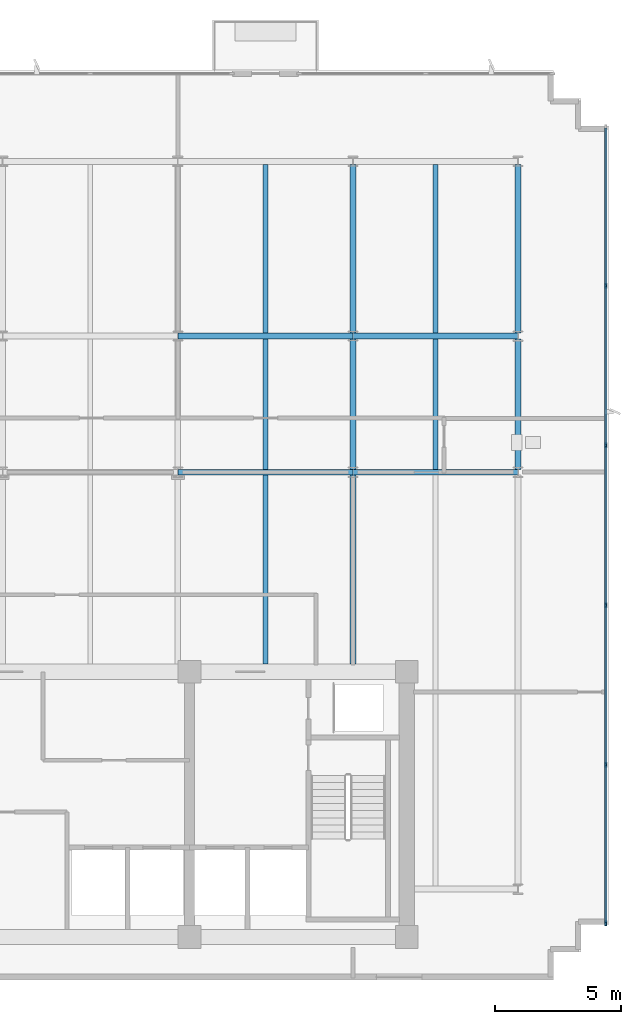
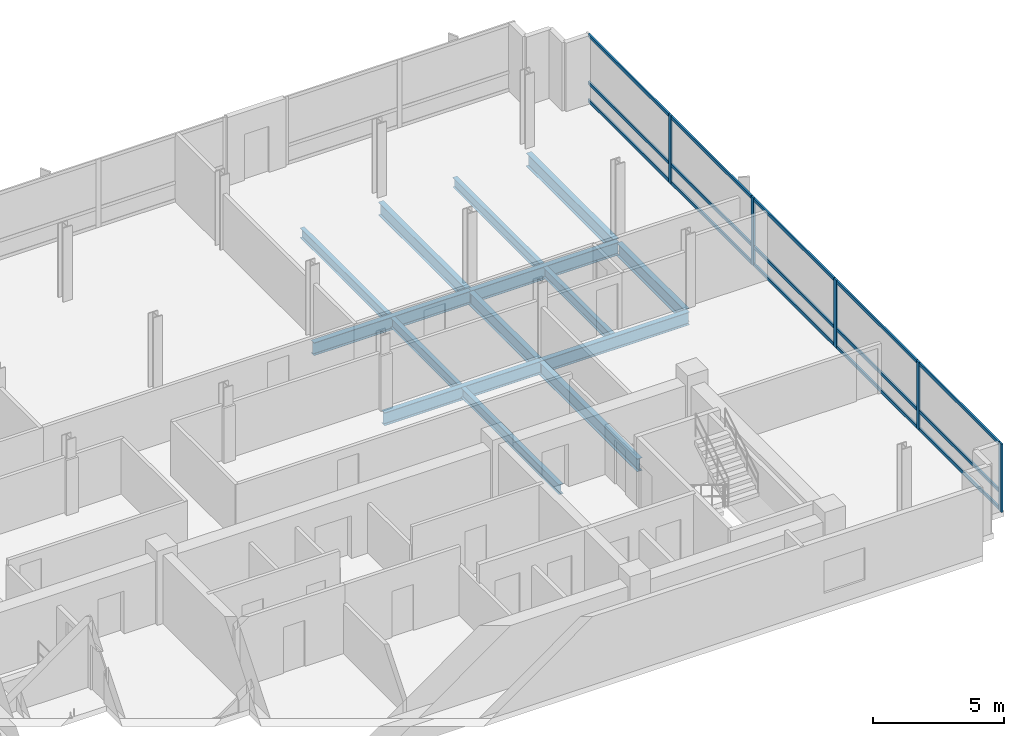
# One storey, part 4 of 13: 20 members, 14 beams, 1 element without a shape of its own.
"""IFC4 building model written with IfcOpenShell, lengths in metres."""

from ifc_helpers import new_model, si_unit, direction, frame, origin, origin_2d, place, context, subcontext, project, spatial, rectangle, i_section, extrude, material, material_profile, profile_set, type_object, element, aggregate, save


model = new_model("IFC4")

# Units and contexts
model_context = context("Model", 3, precision=1e-05, world=origin(), true_north=direction((0.0, 1.0)))
body_context = subcontext(model_context, "Body", "Model", "MODEL_VIEW")
ifc_project = project(units=[si_unit("LENGTHUNIT", "METRE"), si_unit("AREAUNIT", "SQUARE_METRE"), si_unit("VOLUMEUNIT", "CUBIC_METRE"), si_unit("PLANEANGLEUNIT", "RADIAN"), si_unit("MASSUNIT", "GRAM", prefix="KILO")], contexts=[model_context])

# Site, building, storey
site_placement = place(None, origin())
site = spatial("IfcSite", under=ifc_project, at=site_placement, CompositionType="ELEMENT")
building_placement = place(site_placement, origin())
building = spatial("IfcBuilding", under=site, at=building_placement, Name="Solmavex Isthmus Hotel", CompositionType="ELEMENT")
storey_placement = place(building_placement, frame((0.0, 0.0, 276.449951171875)))
storey = spatial("IfcBuildingStorey", under=building, at=storey_placement, Name="L75", CompositionType="ELEMENT", Elevation=276.449951171875)

# Beams
ifc_material_1 = material(Name="Steel ASTM A992 Grade 50", Category="steel")
ifc_material_profile_1 = material_profile(ifc_material_1, i_section(OverallWidth=0.1904296875, OverallDepth=0.456787109375, WebThickness=0.009033203125, FlangeThickness=0.014404296875, FilletRadius=0.0126953125, at=origin_2d()), Name="W18X50")
ifc_profile_set_1 = profile_set([ifc_material_profile_1], Name="Steel ASTM A992 Grade 50")
beam_type_1 = type_object("IfcBeamType", Name="BM-BJ-W18X50", PredefinedType="JOIST", material=ifc_profile_set_1)
beam_1_placement = place(storey_placement, frame((10.404052734375, -2.199951171875, -0.48828125), z_axis=(0.0, 1.0, 0.0), x_axis=(-1.0, 0.0, 0.0)))
element("IfcBeam", 1, at=beam_1_placement, inside=storey, type_object=beam_type_1, Name="Secondary Floor Joist L75-J13", PredefinedType="JOIST", context=body_context, shape_type="SweptSolid", body=[
    extrude(i_section(OverallWidth=0.1904296875, OverallDepth=0.456787109375, WebThickness=0.009033203125, FlangeThickness=0.014404296875, FilletRadius=0.0126953125, at=origin_2d()), origin(), (0.0, 0.0, 1.0), 7.486083984375),
])
beam_2_placement = place(storey_placement, frame((10.404052734375, 5.513916015625, -0.48828125), z_axis=(0.0, 1.0, 0.0), x_axis=(-1.0, 0.0, 0.0)))
element("IfcBeam", 2, at=beam_2_placement, inside=storey, type_object=beam_type_1, Name="Secondary Floor Joist L75-J14", PredefinedType="JOIST", context=body_context, shape_type="SweptSolid", body=[
    extrude(i_section(OverallWidth=0.1904296875, OverallDepth=0.456787109375, WebThickness=0.009033203125, FlangeThickness=0.014404296875, FilletRadius=0.0126953125, at=origin_2d()), origin(), (0.0, 0.0, 1.0), 5.16015625),
])
beam_3_placement = place(storey_placement, frame((10.404052734375, 10.90185546875, -0.48828125), z_axis=(0.0, 1.0, 0.0), x_axis=(-1.0, 0.0, 0.0)))
element("IfcBeam", 3, at=beam_3_placement, inside=storey, type_object=beam_type_1, Name="Secondary Floor Joist L75-J15", PredefinedType="JOIST", context=body_context, shape_type="SweptSolid", body=[
    extrude(i_section(OverallWidth=0.1904296875, OverallDepth=0.456787109375, WebThickness=0.009033203125, FlangeThickness=0.014404296875, FilletRadius=0.0126953125, at=origin_2d()), origin(), (0.0, 0.0, 1.0), 6.682861328125),
])
beam_4_placement = place(storey_placement, frame((17.135986328125, 5.513916015625, -0.48828125), z_axis=(0.0, 1.0, 0.0), x_axis=(-1.0, 0.0, 0.0)))
element("IfcBeam", 4, at=beam_4_placement, inside=storey, type_object=beam_type_1, Name="Secondary Floor Joist L75-J17", PredefinedType="JOIST", context=body_context, shape_type="SweptSolid", body=[
    extrude(i_section(OverallWidth=0.1904296875, OverallDepth=0.456787109375, WebThickness=0.009033203125, FlangeThickness=0.014404296875, FilletRadius=0.0126953125, at=origin_2d()), origin(), (0.0, 0.0, 1.0), 5.16015625),
])
beam_5_placement = place(storey_placement, frame((17.135986328125, 10.90185546875, -0.48828125), z_axis=(0.0, 1.0, 0.0), x_axis=(-1.0, 0.0, 0.0)))
element("IfcBeam", 5, at=beam_5_placement, inside=storey, type_object=beam_type_1, Name="Secondary Floor Joist L75-J18", PredefinedType="JOIST", context=body_context, shape_type="SweptSolid", body=[
    extrude(i_section(OverallWidth=0.1904296875, OverallDepth=0.456787109375, WebThickness=0.009033203125, FlangeThickness=0.014404296875, FilletRadius=0.0126953125, at=origin_2d()), origin(), (0.0, 0.0, 1.0), 6.682861328125),
])
ifc_material_profile_2 = material_profile(ifc_material_1, i_section(OverallWidth=0.227783203125, OverallDepth=0.602783203125, WebThickness=0.010498046875, FlangeThickness=0.014892578125, FilletRadius=0.01513671875, at=origin_2d()), Name="W24X68")
ifc_profile_set_2 = profile_set([ifc_material_profile_2], Name="Steel ASTM A992 Grade 50")
beam_type_2 = type_object("IfcBeamType", Name="BM-BM-W24X68", PredefinedType="BEAM", material=ifc_profile_set_2)
beam_6_placement = place(storey_placement, frame((6.93603515625, 5.39990234375, -0.561279296875), z_axis=(1.0, 0.0, 0.0), x_axis=(0.0, 1.0, 0.0)))
element("IfcBeam", 6, at=beam_6_placement, inside=storey, type_object=beam_type_2, Name="Floor Girder L75-UG07", PredefinedType="BEAM", context=body_context, shape_type="SweptSolid", body=[
    extrude(i_section(OverallWidth=0.227783203125, OverallDepth=0.602783203125, WebThickness=0.010498046875, FlangeThickness=0.014892578125, FilletRadius=0.01513671875, at=origin_2d()), origin(), (0.0, 0.0, 1.0), 6.93603515625),
])
beam_7_placement = place(storey_placement, frame((13.8720703125, 5.39990234375, -0.561279296875), z_axis=(1.0, 0.0, 0.0), x_axis=(0.0, 1.0, 0.0)))
element("IfcBeam", 7, at=beam_7_placement, inside=storey, type_object=beam_type_2, Name="Floor Girder L75-UG08", PredefinedType="BEAM", context=body_context, shape_type="SweptSolid", body=[
    extrude(i_section(OverallWidth=0.227783203125, OverallDepth=0.602783203125, WebThickness=0.010498046875, FlangeThickness=0.014892578125, FilletRadius=0.01513671875, at=origin_2d()), origin(), (0.0, 0.0, 1.0), 6.52783203125),
])
beam_8_placement = place(storey_placement, frame((6.93603515625, 10.7880859375, -0.561279296875), z_axis=(1.0, 0.0, 0.0), x_axis=(0.0, 1.0, 0.0)))
element("IfcBeam", 8, at=beam_8_placement, inside=storey, type_object=beam_type_2, Name="Floor Girder L75-UG13", PredefinedType="BEAM", context=body_context, shape_type="SweptSolid", body=[
    extrude(i_section(OverallWidth=0.227783203125, OverallDepth=0.602783203125, WebThickness=0.010498046875, FlangeThickness=0.014892578125, FilletRadius=0.01513671875, at=origin_2d()), origin(), (0.0, 0.0, 1.0), 6.93603515625),
])
beam_9_placement = place(storey_placement, frame((13.8720703125, 10.7880859375, -0.561279296875), z_axis=(1.0, 0.0, 0.0), x_axis=(0.0, 1.0, 0.0)))
element("IfcBeam", 9, at=beam_9_placement, inside=storey, type_object=beam_type_2, Name="Floor Girder L75-UG14", PredefinedType="BEAM", context=body_context, shape_type="SweptSolid", body=[
    extrude(i_section(OverallWidth=0.227783203125, OverallDepth=0.602783203125, WebThickness=0.010498046875, FlangeThickness=0.014892578125, FilletRadius=0.01513671875, at=origin_2d()), origin(), (0.0, 0.0, 1.0), 6.52783203125),
])
beam_10_placement = place(storey_placement, frame((13.8720703125, -2.199951171875, -0.561279296875), z_axis=(0.0, 1.0, 0.0), x_axis=(-1.0, 0.0, 0.0)))
element("IfcBeam", 10, at=beam_10_placement, inside=storey, type_object=beam_type_2, Name="Floor Beam L75-VG36", PredefinedType="BEAM", context=body_context, shape_type="SweptSolid", body=[
    extrude(i_section(OverallWidth=0.227783203125, OverallDepth=0.602783203125, WebThickness=0.010498046875, FlangeThickness=0.014892578125, FilletRadius=0.01513671875, at=origin_2d()), origin(), (0.0, 0.0, 1.0), 7.486083984375),
])
beam_11_placement = place(storey_placement, frame((13.8720703125, 5.513916015625, -0.561279296875), z_axis=(0.0, 1.0, 0.0), x_axis=(-1.0, 0.0, 0.0)))
element("IfcBeam", 11, at=beam_11_placement, inside=storey, type_object=beam_type_2, Name="Floor Beam L75-VG37", PredefinedType="BEAM", context=body_context, shape_type="SweptSolid", body=[
    extrude(i_section(OverallWidth=0.227783203125, OverallDepth=0.602783203125, WebThickness=0.010498046875, FlangeThickness=0.014892578125, FilletRadius=0.01513671875, at=origin_2d()), origin(), (0.0, 0.0, 1.0), 5.16015625),
])
beam_12_placement = place(storey_placement, frame((13.8720703125, 10.90185546875, -0.561279296875), z_axis=(0.0, 1.0, 0.0), x_axis=(-1.0, 0.0, 0.0)))
element("IfcBeam", 12, at=beam_12_placement, inside=storey, type_object=beam_type_2, Name="Floor Beam L75-VG38", PredefinedType="BEAM", context=body_context, shape_type="SweptSolid", body=[
    extrude(i_section(OverallWidth=0.227783203125, OverallDepth=0.602783203125, WebThickness=0.010498046875, FlangeThickness=0.014892578125, FilletRadius=0.01513671875, at=origin_2d()), origin(), (0.0, 0.0, 1.0), 6.682861328125),
])
ifc_material_profile_3 = material_profile(ifc_material_1, i_section(OverallWidth=0.230224609375, OverallDepth=0.617431640625, WebThickness=0.01318359375, FlangeThickness=0.022216796875, FilletRadius=0.01513671875, at=origin_2d()), Name="W24X94")
ifc_profile_set_3 = profile_set([ifc_material_profile_3], Name="Steel ASTM A992 Grade 50")
beam_type_3 = type_object("IfcBeamType", Name="BM-SP-W24X94", PredefinedType="SPANDREL", material=ifc_profile_set_3)
beam_13_placement = place(storey_placement, frame((20.39990234375, 5.513916015625, -0.568603515625), z_axis=(0.0, 1.0, 0.0), x_axis=(-1.0, 0.0, 0.0)))
element("IfcBeam", 13, at=beam_13_placement, inside=storey, type_object=beam_type_3, Name="Floor Beam L75-VG40", PredefinedType="SPANDREL", context=body_context, shape_type="SweptSolid", body=[
    extrude(i_section(OverallWidth=0.230224609375, OverallDepth=0.617431640625, WebThickness=0.01318359375, FlangeThickness=0.022216796875, FilletRadius=0.01513671875, at=origin_2d()), origin(), (0.0, 0.0, 1.0), 5.16015625),
])
beam_14_placement = place(storey_placement, frame((20.39990234375, 10.90185546875, -0.568603515625), z_axis=(0.0, 1.0, 0.0), x_axis=(-1.0, 0.0, 0.0)))
element("IfcBeam", 14, at=beam_14_placement, inside=storey, type_object=beam_type_3, Name="Floor Beam L75-VG41", PredefinedType="SPANDREL", context=body_context, shape_type="SweptSolid", body=[
    extrude(i_section(OverallWidth=0.230224609375, OverallDepth=0.617431640625, WebThickness=0.01318359375, FlangeThickness=0.022216796875, FilletRadius=0.01513671875, at=origin_2d()), origin(), (0.0, 0.0, 1.0), 6.682861328125),
])

# Curtain wall, members
ifc_material_2 = material(Name="Aluminium alloy 6063-T6", Category="aluminium")
curtain_wall_type = type_object("IfcCurtainWallType", Name="CW-SYS-04", PredefinedType="NOTDEFINED", material=ifc_material_2)
curtain_wall_placement = place(storey_placement, origin())
curtain_wall = element("IfcCurtainWall", 15, at=curtain_wall_placement, inside=storey, type_object=curtain_wall_type, Name="Stick Curtain Wall CWL-L75-E1", PredefinedType="NOTDEFINED")
ifc_material_profile_4 = material_profile(ifc_material_2, rectangle(XDim=0.074951171875, YDim=0.199951171875, at=origin_2d()), Name="CWM-75X200")
ifc_profile_set_4 = profile_set([ifc_material_profile_4], Name="Aluminium alloy 6063-T6")
member_type_1 = type_object("IfcMemberType", Name="CW-SYS-04-MUL", PredefinedType="MULLION", material=ifc_profile_set_4)
member_1_placement = place(storey_placement, frame((23.8798828125, -12.46240234375, 0.0), z_axis=(0.0, 0.0, 1.0), x_axis=(-1.0, 0.0, 0.0)))
member_1 = element("IfcMember", 16, at=member_1_placement, type_object=member_type_1, Name="CW-04 mullion 1", PredefinedType="MULLION", context=body_context, shape_type="SweptSolid", body=[
    extrude(rectangle(XDim=0.074951171875, YDim=0.199951171875, at=origin_2d()), origin(), (0.0, 0.0, 1.0), 3.18994140625),
])
member_2_placement = place(storey_placement, frame((23.8798828125, -6.179931640625, 0.0), z_axis=(0.0, 0.0, 1.0), x_axis=(-1.0, 0.0, 0.0)))
member_2 = element("IfcMember", 17, at=member_2_placement, type_object=member_type_1, Name="CW-04 mullion 2", PredefinedType="MULLION", context=body_context, shape_type="SweptSolid", body=[
    extrude(rectangle(XDim=0.074951171875, YDim=0.199951171875, at=origin_2d()), origin(), (0.0, 0.0, 1.0), 3.18994140625),
])
member_3_placement = place(storey_placement, frame((23.8798828125, 0.139892578125, 0.0), z_axis=(0.0, 0.0, 1.0), x_axis=(-1.0, 0.0, 0.0)))
member_3 = element("IfcMember", 18, at=member_3_placement, type_object=member_type_1, Name="CW-04 mullion 3", PredefinedType="MULLION", context=body_context, shape_type="SweptSolid", body=[
    extrude(rectangle(XDim=0.074951171875, YDim=0.199951171875, at=origin_2d()), origin(), (0.0, 0.0, 1.0), 3.18994140625),
])
member_4_placement = place(storey_placement, frame((23.8798828125, 6.4599609375, 0.0), z_axis=(0.0, 0.0, 1.0), x_axis=(-1.0, 0.0, 0.0)))
member_4 = element("IfcMember", 19, at=member_4_placement, type_object=member_type_1, Name="CW-04 mullion 4", PredefinedType="MULLION", context=body_context, shape_type="SweptSolid", body=[
    extrude(rectangle(XDim=0.074951171875, YDim=0.199951171875, at=origin_2d()), origin(), (0.0, 0.0, 1.0), 3.18994140625),
])
member_5_placement = place(storey_placement, frame((23.8798828125, 12.780029296875, 0.0), z_axis=(0.0, 0.0, 1.0), x_axis=(-1.0, 0.0, 0.0)))
member_5 = element("IfcMember", 20, at=member_5_placement, type_object=member_type_1, Name="CW-04 mullion 5", PredefinedType="MULLION", context=body_context, shape_type="SweptSolid", body=[
    extrude(rectangle(XDim=0.074951171875, YDim=0.199951171875, at=origin_2d()), origin(), (0.0, 0.0, 1.0), 3.18994140625),
])
ifc_material_profile_5 = material_profile(ifc_material_2, rectangle(XDim=0.074951171875, YDim=0.14990234375, at=origin_2d()), Name="CWT-75X150")
ifc_profile_set_5 = profile_set([ifc_material_profile_5], Name="Aluminium alloy 6063-T6")
member_type_2 = type_object("IfcMemberType", Name="CW-SYS-04-TRN", PredefinedType="USERDEFINED", material=ifc_profile_set_5)
member_6_placement = place(storey_placement, frame((23.8798828125, -12.425048828125, 0.074951171875), z_axis=(0.0, 1.0, 0.0), x_axis=(-1.0, 0.0, 0.0)))
member_6 = element("IfcMember", 21, at=member_6_placement, type_object=member_type_2, Name="CW-04 transom 1.1", ObjectType="TRANSOM", PredefinedType="USERDEFINED", context=body_context, shape_type="SweptSolid", body=[
    extrude(rectangle(XDim=0.074951171875, YDim=0.14990234375, at=origin_2d()), origin(), (0.0, 0.0, 1.0), 6.20751953125),
])
member_7_placement = place(storey_placement, frame((23.8798828125, -12.425048828125, 0.900146484375), z_axis=(0.0, 1.0, 0.0), x_axis=(-1.0, 0.0, 0.0)))
member_7 = element("IfcMember", 22, at=member_7_placement, type_object=member_type_2, Name="CW-04 transom 1.2", ObjectType="TRANSOM", PredefinedType="USERDEFINED", context=body_context, shape_type="SweptSolid", body=[
    extrude(rectangle(XDim=0.074951171875, YDim=0.14990234375, at=origin_2d()), origin(), (0.0, 0.0, 1.0), 6.20751953125),
])
member_8_placement = place(storey_placement, frame((23.8798828125, -12.425048828125, 3.114990234375), z_axis=(0.0, 1.0, 0.0), x_axis=(-1.0, 0.0, 0.0)))
member_8 = element("IfcMember", 23, at=member_8_placement, type_object=member_type_2, Name="CW-04 transom 1.3", ObjectType="TRANSOM", PredefinedType="USERDEFINED", context=body_context, shape_type="SweptSolid", body=[
    extrude(rectangle(XDim=0.074951171875, YDim=0.14990234375, at=origin_2d()), origin(), (0.0, 0.0, 1.0), 6.20751953125),
])
member_9_placement = place(storey_placement, frame((23.8798828125, -6.142578125, 0.074951171875), z_axis=(0.0, 1.0, 0.0), x_axis=(-1.0, 0.0, 0.0)))
member_9 = element("IfcMember", 24, at=member_9_placement, type_object=member_type_2, Name="CW-04 transom 2.1", ObjectType="TRANSOM", PredefinedType="USERDEFINED", context=body_context, shape_type="SweptSolid", body=[
    extrude(rectangle(XDim=0.074951171875, YDim=0.14990234375, at=origin_2d()), origin(), (0.0, 0.0, 1.0), 6.2451171875),
])
member_10_placement = place(storey_placement, frame((23.8798828125, -6.142578125, 0.900146484375), z_axis=(0.0, 1.0, 0.0), x_axis=(-1.0, 0.0, 0.0)))
member_10 = element("IfcMember", 25, at=member_10_placement, type_object=member_type_2, Name="CW-04 transom 2.2", ObjectType="TRANSOM", PredefinedType="USERDEFINED", context=body_context, shape_type="SweptSolid", body=[
    extrude(rectangle(XDim=0.074951171875, YDim=0.14990234375, at=origin_2d()), origin(), (0.0, 0.0, 1.0), 6.2451171875),
])
member_11_placement = place(storey_placement, frame((23.8798828125, -6.142578125, 3.114990234375), z_axis=(0.0, 1.0, 0.0), x_axis=(-1.0, 0.0, 0.0)))
member_11 = element("IfcMember", 26, at=member_11_placement, type_object=member_type_2, Name="CW-04 transom 2.3", ObjectType="TRANSOM", PredefinedType="USERDEFINED", context=body_context, shape_type="SweptSolid", body=[
    extrude(rectangle(XDim=0.074951171875, YDim=0.14990234375, at=origin_2d()), origin(), (0.0, 0.0, 1.0), 6.2451171875),
])
member_12_placement = place(storey_placement, frame((23.8798828125, 0.177490234375, 0.074951171875), z_axis=(0.0, 1.0, 0.0), x_axis=(-1.0, 0.0, 0.0)))
member_12 = element("IfcMember", 27, at=member_12_placement, type_object=member_type_2, Name="CW-04 transom 3.1", ObjectType="TRANSOM", PredefinedType="USERDEFINED", context=body_context, shape_type="SweptSolid", body=[
    extrude(rectangle(XDim=0.074951171875, YDim=0.14990234375, at=origin_2d()), origin(), (0.0, 0.0, 1.0), 6.2451171875),
])
member_13_placement = place(storey_placement, frame((23.8798828125, 0.177490234375, 0.900146484375), z_axis=(0.0, 1.0, 0.0), x_axis=(-1.0, 0.0, 0.0)))
member_13 = element("IfcMember", 28, at=member_13_placement, type_object=member_type_2, Name="CW-04 transom 3.2", ObjectType="TRANSOM", PredefinedType="USERDEFINED", context=body_context, shape_type="SweptSolid", body=[
    extrude(rectangle(XDim=0.074951171875, YDim=0.14990234375, at=origin_2d()), origin(), (0.0, 0.0, 1.0), 6.2451171875),
])
member_14_placement = place(storey_placement, frame((23.8798828125, 0.177490234375, 3.114990234375), z_axis=(0.0, 1.0, 0.0), x_axis=(-1.0, 0.0, 0.0)))
member_14 = element("IfcMember", 29, at=member_14_placement, type_object=member_type_2, Name="CW-04 transom 3.3", ObjectType="TRANSOM", PredefinedType="USERDEFINED", context=body_context, shape_type="SweptSolid", body=[
    extrude(rectangle(XDim=0.074951171875, YDim=0.14990234375, at=origin_2d()), origin(), (0.0, 0.0, 1.0), 6.2451171875),
])
member_15_placement = place(storey_placement, frame((23.8798828125, 6.49755859375, 0.074951171875), z_axis=(0.0, 1.0, 0.0), x_axis=(-1.0, 0.0, 0.0)))
member_15 = element("IfcMember", 30, at=member_15_placement, type_object=member_type_2, Name="CW-04 transom 4.1", ObjectType="TRANSOM", PredefinedType="USERDEFINED", context=body_context, shape_type="SweptSolid", body=[
    extrude(rectangle(XDim=0.074951171875, YDim=0.14990234375, at=origin_2d()), origin(), (0.0, 0.0, 1.0), 6.244873046875),
])
member_16_placement = place(storey_placement, frame((23.8798828125, 6.49755859375, 0.900146484375), z_axis=(0.0, 1.0, 0.0), x_axis=(-1.0, 0.0, 0.0)))
member_16 = element("IfcMember", 31, at=member_16_placement, type_object=member_type_2, Name="CW-04 transom 4.2", ObjectType="TRANSOM", PredefinedType="USERDEFINED", context=body_context, shape_type="SweptSolid", body=[
    extrude(rectangle(XDim=0.074951171875, YDim=0.14990234375, at=origin_2d()), origin(), (0.0, 0.0, 1.0), 6.244873046875),
])
member_17_placement = place(storey_placement, frame((23.8798828125, 6.49755859375, 3.114990234375), z_axis=(0.0, 1.0, 0.0), x_axis=(-1.0, 0.0, 0.0)))
member_17 = element("IfcMember", 32, at=member_17_placement, type_object=member_type_2, Name="CW-04 transom 4.3", ObjectType="TRANSOM", PredefinedType="USERDEFINED", context=body_context, shape_type="SweptSolid", body=[
    extrude(rectangle(XDim=0.074951171875, YDim=0.14990234375, at=origin_2d()), origin(), (0.0, 0.0, 1.0), 6.244873046875),
])
member_18_placement = place(storey_placement, frame((23.8798828125, 12.8173828125, 0.074951171875), z_axis=(0.0, 1.0, 0.0), x_axis=(-1.0, 0.0, 0.0)))
member_18 = element("IfcMember", 33, at=member_18_placement, type_object=member_type_2, Name="CW-04 transom 5.1", ObjectType="TRANSOM", PredefinedType="USERDEFINED", context=body_context, shape_type="SweptSolid", body=[
    extrude(rectangle(XDim=0.074951171875, YDim=0.14990234375, at=origin_2d()), origin(), (0.0, 0.0, 1.0), 6.20751953125),
])
member_19_placement = place(storey_placement, frame((23.8798828125, 12.8173828125, 0.900146484375), z_axis=(0.0, 1.0, 0.0), x_axis=(-1.0, 0.0, 0.0)))
member_19 = element("IfcMember", 34, at=member_19_placement, type_object=member_type_2, Name="CW-04 transom 5.2", ObjectType="TRANSOM", PredefinedType="USERDEFINED", context=body_context, shape_type="SweptSolid", body=[
    extrude(rectangle(XDim=0.074951171875, YDim=0.14990234375, at=origin_2d()), origin(), (0.0, 0.0, 1.0), 6.20751953125),
])
member_20_placement = place(storey_placement, frame((23.8798828125, 12.8173828125, 3.114990234375), z_axis=(0.0, 1.0, 0.0), x_axis=(-1.0, 0.0, 0.0)))
member_20 = element("IfcMember", 35, at=member_20_placement, type_object=member_type_2, Name="CW-04 transom 5.3", ObjectType="TRANSOM", PredefinedType="USERDEFINED", context=body_context, shape_type="SweptSolid", body=[
    extrude(rectangle(XDim=0.074951171875, YDim=0.14990234375, at=origin_2d()), origin(), (0.0, 0.0, 1.0), 6.20751953125),
])
aggregate(curtain_wall, [member_1, member_2, member_3, member_4, member_5, member_6, member_7, member_8, member_9, member_10, member_11, member_12, member_13, member_14, member_15, member_16, member_17, member_18, member_19, member_20])

save(model, "model.ifc")
